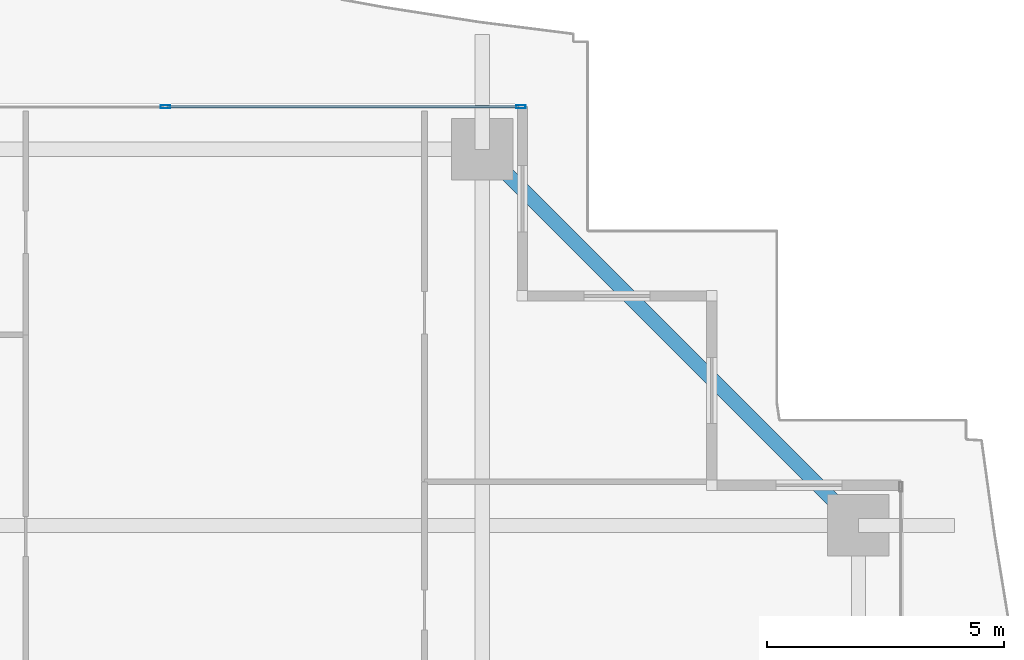
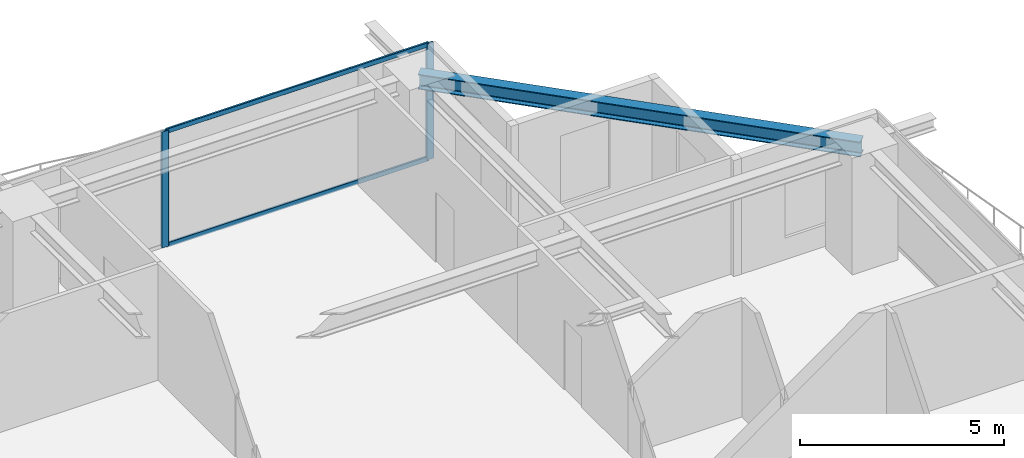
# One storey, part 20 of 33: 4 members, 1 beam, 1 element without a shape of its own.
"""IFC4 building model written with IfcOpenShell, lengths in metres."""

from ifc_helpers import new_model, si_unit, direction, frame, origin, origin_2d, place, context, subcontext, project, spatial, hollow_rectangle, i_section, extrude, source, transform, mapped, material, layer, layer_set, material_profile, profile_set, type_object, element, aggregate, save


model = new_model("IFC4")

# Units and contexts
model_context = context("Model", 3, precision=1e-05, world=origin(), true_north=direction((0.0, 1.0)))
body_context = subcontext(model_context, "Body", "Model", "MODEL_VIEW")
ifc_project = project(units=[si_unit("LENGTHUNIT", "METRE"), si_unit("AREAUNIT", "SQUARE_METRE"), si_unit("VOLUMEUNIT", "CUBIC_METRE"), si_unit("PLANEANGLEUNIT", "RADIAN"), si_unit("MASSUNIT", "GRAM", prefix="KILO")], contexts=[model_context])

# Site, building, storey
site_placement = place(None, origin())
site = spatial("IfcSite", under=ifc_project, at=site_placement, CompositionType="ELEMENT")
building_placement = place(site_placement, origin())
building = spatial("IfcBuilding", under=site, at=building_placement, Name="Serunith Strait Residences", CompositionType="ELEMENT")
storey_placement = place(building_placement, frame((0.0, 0.0, 165.14990234375)))
storey = spatial("IfcBuildingStorey", under=building, at=storey_placement, Name="L41", CompositionType="ELEMENT", Elevation=165.14990234375)

# Beam
ifc_material_1 = material(Name="Steel S355J2", Category="steel")
ifc_material_profile_1 = material_profile(ifc_material_1, i_section(OverallWidth=0.300048828125, OverallDepth=0.449951171875, WebThickness=0.013916015625, FlangeThickness=0.02587890625, FilletRadius=0.027099609375, at=origin_2d()), Name="HEB 450")
ifc_profile_set_1 = profile_set([ifc_material_profile_1], Name="Steel S355J2")
beam_type = type_object("IfcBeamType", Name="BM-HEB450", PredefinedType="BEAM", material=ifc_profile_set_1)
shared_shape_1 = source(origin(), body_context, "Body", "SweptSolid", [
    extrude(i_section(OverallWidth=0.300048828125, OverallDepth=0.449951171875, WebThickness=0.013916015625, FlangeThickness=0.02587890625, FilletRadius=0.027099609375, at=origin_2d()), origin(), (0.0, 0.0, 1.0), 11.2431640625),
])
beam_placement = place(storey_placement, frame((56.10009765625, 40.14990234375, 3.232177734375), z_axis=(-0.707106781187, 0.707106781187, 0.0), x_axis=(-0.707106781187, -0.707106781187, 0.0)))
element("IfcBeam", 1, at=beam_placement, inside=storey, type_object=beam_type, Name="L41 Perimeter Ring Beam 08", PredefinedType="BEAM", context=body_context, shape_type="MappedRepresentation", body=[
    mapped(shared_shape_1, transform((0.0, 0.0, 0.0), scale=1.0)),
])

# Curtain wall, members
ifc_material_2 = material(Name="Pale-Champagne Anodised Aluminium", Category="aluminium")
ifc_layer = layer(ifc_material_2, 0.199951171875, Name="Pale-Champagne Anodised Aluminium")
ifc_layer_set = layer_set([ifc_layer], Name="Pale-Champagne Anodised Aluminium")
curtain_wall_type = type_object("IfcCurtainWallType", Name="CW-SYS2", PredefinedType="NOTDEFINED", material=ifc_layer_set)
curtain_wall_placement = place(storey_placement, origin())
curtain_wall = element("IfcCurtainWall", 2, at=curtain_wall_placement, inside=storey, type_object=curtain_wall_type, Name="L41 N Unitised Fritted Curtain Wall", PredefinedType="NOTDEFINED")
ifc_material_profile_2 = material_profile(ifc_material_2, hollow_rectangle(XDim=0.070068359375, YDim=0.199951171875, WallThickness=0.00390625, InnerFilletRadius=0.006103515625, OuterFilletRadius=0.010009765625, at=origin_2d()), Name="ALU 200x70x4")
ifc_profile_set_2 = profile_set([ifc_material_profile_2], Name="Pale-Champagne Anodised Aluminium")
member_type_1 = type_object("IfcMemberType", Name="CW-SYS2-MULL", PredefinedType="MULLION", material=ifc_profile_set_2)
shared_shape_2 = source(origin(), body_context, "Body", "SweptSolid", [
    extrude(hollow_rectangle(XDim=0.070068359375, YDim=0.199951171875, WallThickness=0.00390625, InnerFilletRadius=0.006103515625, OuterFilletRadius=0.010009765625, at=origin_2d()), origin(), (0.0, 0.0, 1.0), 3.47509765625),
])
member_1_placement = place(storey_placement, frame((48.965087890625, 49.0, 0.0), z_axis=(0.0, 0.0, 1.0), x_axis=(0.0, -1.0, 0.0)))
member_1 = element("IfcMember", 3, at=member_1_placement, type_object=member_type_1, Name="CW-2 mullion 1", PredefinedType="MULLION", context=body_context, shape_type="MappedRepresentation", body=[
    mapped(shared_shape_2, transform((0.0, 0.0, 0.0), scale=1.0)),
])
member_2_placement = place(storey_placement, frame((41.449951171875, 49.0, 0.0), z_axis=(0.0, 0.0, 1.0), x_axis=(0.0, -1.0, 0.0)))
member_2 = element("IfcMember", 4, at=member_2_placement, type_object=member_type_1, Name="CW-2 mullion 2", PredefinedType="MULLION", context=body_context, shape_type="MappedRepresentation", body=[
    mapped(shared_shape_2, transform((0.0, 0.0, 0.0), scale=1.0)),
])
ifc_material_profile_3 = material_profile(ifc_material_2, hollow_rectangle(XDim=0.06005859375, YDim=0.139892578125, WallThickness=0.00341796875, InnerFilletRadius=0.00537109375, OuterFilletRadius=0.0087890625, at=origin_2d()), Name="ALU 140x60x3.5")
ifc_profile_set_3 = profile_set([ifc_material_profile_3], Name="Pale-Champagne Anodised Aluminium")
member_type_2 = type_object("IfcMemberType", Name="CW-SYS2-TRAN", PredefinedType="USERDEFINED", material=ifc_profile_set_3)
shared_shape_3 = source(origin(), body_context, "Body", "SweptSolid", [
    extrude(hollow_rectangle(XDim=0.06005859375, YDim=0.139892578125, WallThickness=0.00341796875, InnerFilletRadius=0.00537109375, OuterFilletRadius=0.0087890625, at=origin_2d()), origin(), (0.0, 0.0, 1.0), 7.44482421875),
])
member_3_placement = place(storey_placement, frame((48.929931640625, 49.0, 0.030029296875), z_axis=(-1.0, 0.0, 0.0), x_axis=(0.0, -1.0, 0.0)))
member_3 = element("IfcMember", 5, at=member_3_placement, type_object=member_type_2, Name="CW-2 transom 1.1", ObjectType="TRANSOM", PredefinedType="USERDEFINED", context=body_context, shape_type="MappedRepresentation", body=[
    mapped(shared_shape_3, transform((0.0, 0.0, 0.0), scale=1.0)),
])
member_4_placement = place(storey_placement, frame((48.929931640625, 49.0, 3.445068359375), z_axis=(-1.0, 0.0, 0.0), x_axis=(0.0, -1.0, 0.0)))
member_4 = element("IfcMember", 6, at=member_4_placement, type_object=member_type_2, Name="CW-2 transom 1.2", ObjectType="TRANSOM", PredefinedType="USERDEFINED", context=body_context, shape_type="MappedRepresentation", body=[
    mapped(shared_shape_3, transform((0.0, 0.0, 0.0), scale=1.0)),
])
aggregate(curtain_wall, [member_1, member_2, member_3, member_4])

save(model, "model.ifc")
